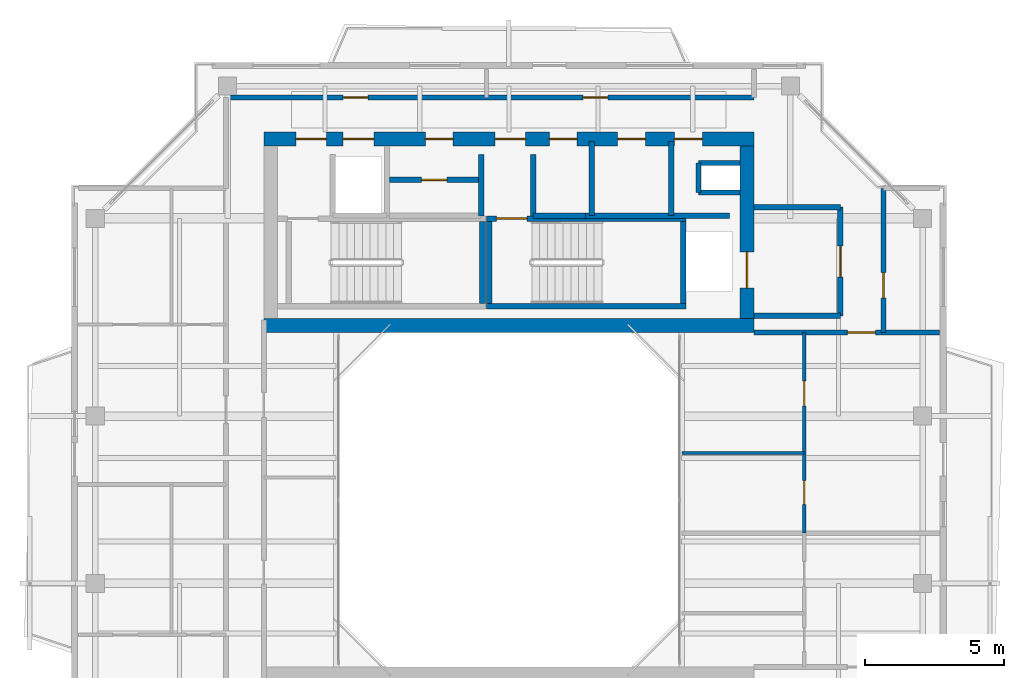
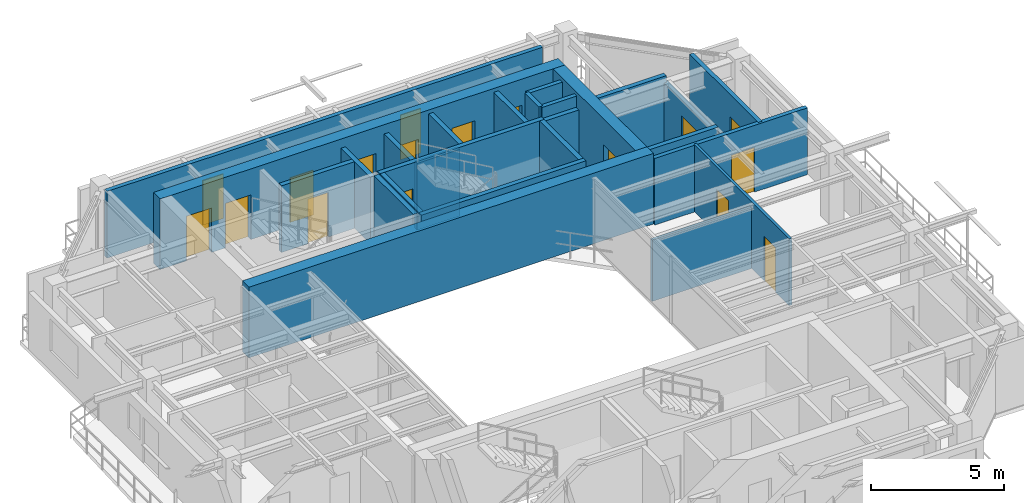
# One storey, part 11 of 15: 26 walls, 17 doors, 17 openings.
"""IFC4 building model written with IfcOpenShell, lengths in metres."""

import ifcopenshell
import ifcopenshell.guid

model = None  # the IFC model being written
_history = None  # IfcOwnerHistory: only IFC2X3 demands one
_inside = {}  # id of a spatial element -> (the spatial element, [elements in it])
_under = {}  # id of a project, library or spatial element -> (it, [spatial elements below it])
_declared = {}  # id of a project -> (the project, [libraries it declares])
_typed = {}  # id of a type object -> (the type object, [elements of that type])
_made_of = {}  # id of a material, layer set ... -> (it, [elements and type objects made of it])


def new_model(schema):
    """Start an empty IFC model of exactly this schema.

    Asked for "IFC4X3", IfcOpenShell would pick the latest addendum, in which some entities
    have other attributes; the version numbers below select the first issue.
    IFC2X3 requires an IfcOwnerHistory on every rooted entity: one is made here for all.
    """
    global model, _history
    if schema == "IFC4X3":
        model = ifcopenshell.file(schema_version=(4, 3, 0, 0))
    else:
        model = ifcopenshell.file(schema=schema)
    _inside.clear()
    _under.clear()
    _declared.clear()
    _typed.clear()
    _made_of.clear()
    _history = None
    if model.schema == "IFC2X3":
        org = make("IfcOrganization", Name="unknown")
        user = make(
            "IfcPersonAndOrganization",
            ThePerson=make("IfcPerson", FamilyName="unknown"),
            TheOrganization=org,
        )
        app = make(
            "IfcApplication",
            ApplicationDeveloper=org,
            Version="unknown",
            ApplicationFullName="unknown",
            ApplicationIdentifier="unknown",
        )
        _history = make(
            "IfcOwnerHistory",
            OwningUser=user,
            OwningApplication=app,
            ChangeAction="ADDED",
            CreationDate=0,
        )
    return model


def make(cls, **values):
    """One entity of the class cls with the attributes given. An attribute that is None is left unset."""
    return model.create_entity(
        cls, **{name: value for name, value in values.items() if value is not None}
    )


def rooted(cls, **values):
    """An entity with a GlobalId (a new one), such as an element, a storey or a relation."""
    return make(cls, GlobalId=ifcopenshell.guid.new(), OwnerHistory=_history, **values)


def si_unit(unit_type, name, prefix=None):
    """IfcSIUnit, for example si_unit("LENGTHUNIT", "METRE", prefix="MILLI")."""
    return make("IfcSIUnit", UnitType=unit_type, Prefix=prefix, Name=name)


def assignment(units):
    """IfcUnitAssignment: the units of a project."""
    return None if units is None else make("IfcUnitAssignment", Units=units)


def point(xyz):
    """IfcCartesianPoint."""
    return None if xyz is None else make("IfcCartesianPoint", Coordinates=xyz)


def direction(xyz):
    """IfcDirection."""
    return None if xyz is None else make("IfcDirection", DirectionRatios=xyz)


def frame(location, z_axis=None, x_axis=None):
    """IfcAxis2Placement3D, a coordinate frame: its origin and axes. An axis left out is left unset."""
    return make(
        "IfcAxis2Placement3D",
        Location=point(location),
        Axis=direction(z_axis),
        RefDirection=direction(x_axis),
    )


def frame_2d(location, x_axis=None):
    """IfcAxis2Placement2D, a coordinate frame in the plane: its origin and x axis."""
    return make(
        "IfcAxis2Placement2D", Location=point(location), RefDirection=direction(x_axis)
    )


def origin():
    """The frame at (0, 0, 0) with its axes left unset."""
    return frame((0.0, 0.0, 0.0))


def place(relative_to, where):
    """IfcLocalPlacement: puts the frame where relative to a parent placement (None: the world)."""
    return make(
        "IfcLocalPlacement", PlacementRelTo=relative_to, RelativePlacement=where
    )


def context(
    kind, dimensions, precision=None, world=None, true_north=None, identifier=None
):
    """IfcGeometricRepresentationContext, for example the 3D "Model" context."""
    return make(
        "IfcGeometricRepresentationContext",
        ContextIdentifier=identifier,
        ContextType=kind,
        CoordinateSpaceDimension=dimensions,
        Precision=precision,
        WorldCoordinateSystem=world,
        TrueNorth=true_north,
    )


def subcontext(parent, identifier, kind, view, scale=None):
    """IfcGeometricRepresentationSubContext, for example "Body" below "Model"."""
    return make(
        "IfcGeometricRepresentationSubContext",
        ContextIdentifier=identifier,
        ContextType=kind,
        ParentContext=parent,
        TargetScale=scale,
        TargetView=view,
    )


def project(units=None, contexts=None):
    """IfcProject with its units and contexts."""
    return rooted(
        "IfcProject",
        Name="project",
        RepresentationContexts=contexts,
        UnitsInContext=assignment(units),
    )


def spatial(cls, under=None, at=None, **own):
    """A site, building, storey or space (cls), placed at a placement, below another one or the project."""
    s = rooted(cls, ObjectPlacement=at, **own)
    if under is not None:
        _under.setdefault(under.id(), (under, []))[1].append(s)
    return s


def profile(cls, at=None, kind="AREA", **sizes):
    """A parametric profile (cls). Its sizes go by their IFC names, for example OverallWidth=200.0."""
    return make(cls, ProfileType=kind, Position=at, **sizes)


def rectangle(**sizes):
    """IfcRectangleProfileDef."""
    return profile("IfcRectangleProfileDef", **sizes)


def extrude(swept, where, along, depth):
    """IfcExtrudedAreaSolid: the profile swept, set in the frame where, extruded along a direction by depth."""
    return make(
        "IfcExtrudedAreaSolid",
        SweptArea=swept,
        Position=where,
        ExtrudedDirection=direction(along),
        Depth=depth,
    )


def shape(context_of_items, identifier, shape_type, items):
    """IfcShapeRepresentation: the items that make up one representation, for example the "Body"."""
    return make(
        "IfcShapeRepresentation",
        ContextOfItems=context_of_items,
        RepresentationIdentifier=identifier,
        RepresentationType=shape_type,
        Items=items,
    )


def source(mapping_origin, context_of_items, identifier, shape_type, items):
    """IfcRepresentationMap: a shape defined once, which mapped items show again and again."""
    return make(
        "IfcRepresentationMap",
        MappingOrigin=mapping_origin,
        MappedRepresentation=shape(context_of_items, identifier, shape_type, items),
    )


def transform(
    local_origin,
    x_axis=None,
    y_axis=None,
    z_axis=None,
    scale=None,
    scale2=None,
    scale3=None,
    uniform=True,
):
    """IfcCartesianTransformationOperator3D, or its non-uniform kind. x_axis, y_axis, z_axis: its Axis1, 2, 3."""
    if uniform:
        return make(
            "IfcCartesianTransformationOperator3D",
            Axis1=direction(x_axis),
            Axis2=direction(y_axis),
            LocalOrigin=point(local_origin),
            Scale=scale,
            Axis3=direction(z_axis),
        )
    return make(
        "IfcCartesianTransformationOperator3DnonUniform",
        Axis1=direction(x_axis),
        Axis2=direction(y_axis),
        LocalOrigin=point(local_origin),
        Scale=scale,
        Axis3=direction(z_axis),
        Scale2=scale2,
        Scale3=scale3,
    )


def mapped(mapping_source, mapping_target):
    """IfcMappedItem: shows the shape of a source again, moved by a transform."""
    return make(
        "IfcMappedItem", MappingSource=mapping_source, MappingTarget=mapping_target
    )


def material(Name=None, Category=None):
    """IfcMaterial."""
    return make("IfcMaterial", Name=Name, Category=Category)


def layer(
    of_material, thickness, ventilated=None, Name=None, Category=None, Priority=None
):
    """IfcMaterialLayer: one layer of a wall or slab, of a material (None: an air gap)."""
    return make(
        "IfcMaterialLayer",
        Material=of_material,
        LayerThickness=thickness,
        IsVentilated=ventilated,
        Name=Name,
        Category=Category,
        Priority=Priority,
    )


def layer_set(layers, Name=None):
    """IfcMaterialLayerSet."""
    return make("IfcMaterialLayerSet", MaterialLayers=layers, LayerSetName=Name)


def made_of(thing, what):
    """Note that an element or type object is made of a material, layer set ...; save() writes the relation."""
    if what is not None:
        _made_of.setdefault(what.id(), (what, []))[1].append(thing)
    return thing


def type_object(cls, material=None, **own):
    """A type object (cls), such as IfcWallType, which elements share."""
    return made_of(rooted(cls, **own), material)


def element(
    cls,
    number,
    at=None,
    inside=None,
    cuts=None,
    type_object=None,
    material=None,
    context=None,
    identifier="Body",
    shape_type=None,
    held_by="IfcProductDefinitionShape",
    body=None,
    shapes=None,
    **own,
):
    """One element of the class cls, such as IfcWall. Its Tag is "e" and its number.

    at: its placement. inside: the storey or other place that contains it. cuts: it is an
    opening in that element (IfcRelVoidsElement). A single representation is given by context,
    identifier, shape_type and body (its items); several are given by shapes. held_by: the class
    of the entity that holds the representations. save() writes the other relations.
    """
    e = rooted(cls, Tag="e%d" % number, ObjectPlacement=at, **own)
    if body is not None:
        shapes = [shape(context, identifier, shape_type, body)]
    if shapes is not None:
        e.Representation = make(held_by, Representations=shapes)
    if inside is not None:
        _inside.setdefault(inside.id(), (inside, []))[1].append(e)
    if cuts is not None:
        rooted(
            "IfcRelVoidsElement", RelatingBuildingElement=cuts, RelatedOpeningElement=e
        )
    if type_object is not None:
        _typed.setdefault(type_object.id(), (type_object, []))[1].append(e)
    return made_of(e, material)


def fill(opening, filler):
    """IfcRelFillsElement: the door or window that sits in an opening."""
    return rooted(
        "IfcRelFillsElement",
        RelatingOpeningElement=opening,
        RelatedBuildingElement=filler,
    )


def aggregate(whole, parts):
    """IfcRelAggregates: a whole, such as a stair, and the parts it consists of."""
    return rooted("IfcRelAggregates", RelatingObject=whole, RelatedObjects=parts)


def save(model, path):
    """Write the relations noted so far, then the file.

    IfcRelAggregates (storeys below a building ...), IfcRelContainedInSpatialStructure (elements
    in a storey), IfcRelDefinesByType, IfcRelAssociatesMaterial and IfcRelDeclares: one each for
    every whole, place, type object, material and project.
    """
    for whole, parts in _under.values():
        aggregate(whole, parts)
    for where, things in _inside.values():
        rooted(
            "IfcRelContainedInSpatialStructure",
            RelatedElements=things,
            RelatingStructure=where,
        )
    for kind, things in _typed.values():
        rooted("IfcRelDefinesByType", RelatedObjects=things, RelatingType=kind)
    for what, things in _made_of.values():
        rooted("IfcRelAssociatesMaterial", RelatedObjects=things, RelatingMaterial=what)
    for by, libraries in _declared.values():
        rooted("IfcRelDeclares", RelatingContext=by, RelatedDefinitions=libraries)
    model.write(path)


model = new_model("IFC4")

# Units and contexts
model_context = context("Model", 3, precision=1e-05, world=origin(), true_north=direction((0.0, 1.0)))
body_context = subcontext(model_context, "Body", "Model", "MODEL_VIEW")
ifc_project = project(units=[si_unit("LENGTHUNIT", "METRE"), si_unit("AREAUNIT", "SQUARE_METRE"), si_unit("VOLUMEUNIT", "CUBIC_METRE"), si_unit("PLANEANGLEUNIT", "RADIAN"), si_unit("MASSUNIT", "GRAM", prefix="KILO"), si_unit("THERMODYNAMICTEMPERATUREUNIT", "KELVIN"), si_unit("POWERUNIT", "WATT")], contexts=[model_context])

# Site, building, storey
site_placement = place(None, origin())
site = spatial("IfcSite", under=ifc_project, at=site_placement, CompositionType="ELEMENT")
building_placement = place(site_placement, origin())
building = spatial("IfcBuilding", under=site, at=building_placement, Name="Qiaomeng Ring Towers", CompositionType="ELEMENT")
storey_placement = place(building_placement, frame((0.0, 0.0, 250.25)))
storey = spatial("IfcBuildingStorey", under=building, at=storey_placement, Name="L73", CompositionType="ELEMENT", Elevation=250.25)

# Walls
ifc_material_1 = material(Name="Autoclaved aerated concrete block", Category="concrete")
ifc_layer_1 = layer(ifc_material_1, 0.199951171875, Name="Autoclaved aerated concrete block")
ifc_layer_set_1 = layer_set([ifc_layer_1], Name="Autoclaved aerated concrete block")
wall_type_1 = type_object("IfcWallType", Name="ARC-WL-PW1", PredefinedType="PARTITIONING", material=ifc_layer_set_1)
for number, where, z_axis, x_axis, name in (
    (1, (27.800048828125, 29.60009765625, 0.0), (0.0, 0.0, 1.0), (1.0, 0.0, 0.0), "L73 Interior Wall PW1"),
    (2, (27.800048828125, 33.5, 0.0), (0.0, 0.0, 1.0), (1.0, 0.0, 0.0), "L73 Interior Wall PW1"),
):
    element("IfcWall", number, at=place(storey_placement, frame(where, z_axis=z_axis, x_axis=x_axis)), inside=storey, type_object=wall_type_1, Name=name, PredefinedType="PARTITIONING", context=body_context, shape_type="SweptSolid", body=[
        extrude(rectangle(XDim=3.099853515625, YDim=0.199951171875, at=frame_2d((1.5498046875, 0.0))), origin(), (0.0, 0.0, 1.0), 3.070068359375),
    ])

# Wall, opening, door
wall_1_placement = place(storey_placement, frame((30.89990234375, 29.60009765625, 0.0), z_axis=(0.0, 0.0, 1.0), x_axis=(0.0, 1.0, 0.0)))
wall_1 = element("IfcWall", 3, at=wall_1_placement, inside=storey, type_object=wall_type_1, Name="L73 Interior Wall PW1", PredefinedType="PARTITIONING", context=body_context, shape_type="SweptSolid", body=[
    extrude(rectangle(XDim=3.89990234375, YDim=0.199951171875, at=frame_2d((1.949951171875, 0.0))), origin(), (0.0, 0.0, 1.0), 2.764892578125),
])
opening_1_placement = place(wall_1_placement, frame((1.39990234375, 0.0, 0.0)))
opening_1 = element("IfcOpeningElement", 4, at=opening_1_placement, cuts=wall_1, Name="Opening FD3", PredefinedType="OPENING", context=body_context, shape_type="SweptSolid", body=[
    extrude(rectangle(XDim=1.10009765625, YDim=2.050048828125, at=frame_2d((0.550048828125, 1.02490234375))), frame((0.0, 0.10986328125, 0.0), z_axis=(0.0, -1.0, 0.0), x_axis=(1.0, 0.0, 0.0)), (0.0, 0.0, 1.0), 0.219970703125),
])
ifc_material_2 = material(Name="Galvanised steel", Category="steel")
door_type_1 = type_object("IfcDoorType", Name="ARC-DR-FD3", OperationType="NOTDEFINED", PredefinedType="DOOR", material=ifc_material_2)
shared_shape_1 = source(origin(), body_context, "Body", "SweptSolid", [
    extrude(rectangle(XDim=1.10009765625, YDim=2.050048828125, at=frame_2d((0.550048828125, 1.02490234375))), frame((0.0, 0.02490234375, 0.0), z_axis=(0.0, -1.0, 0.0), x_axis=(1.0, 0.0, 0.0)), (0.0, 0.0, 1.0), 0.050048828125),
])
door_1_placement = place(opening_1_placement, origin())
door_1 = element("IfcDoor", 5, at=door_1_placement, inside=storey, type_object=door_type_1, Name="L73 North FF Lobby Door", OperationType="SINGLE_SWING_RIGHT", OverallHeight=2.050048828125, OverallWidth=1.10009765625, PredefinedType="DOOR", context=body_context, shape_type="MappedRepresentation", body=[
    mapped(shared_shape_1, transform((0.0, 0.0, 0.0), x_axis=(1.0, 0.0, 0.0), y_axis=(0.0, 1.0, 0.0), z_axis=(0.0, 0.0, 1.0), scale=1.0)),
])
fill(opening_1, door_1)

# Walls
for number, where, z_axis, x_axis, name in (
    (6, (18.0, 33.18994140625, 0.0), (0.0, 0.0, 1.0), (0.0, 1.0, 0.0), "L73 Interior Wall PW1"),
    (7, (19.8798828125, 33.18994140625, 0.0), (0.0, 0.0, 1.0), (0.0, 1.0, 0.0), "L73 Interior Wall PW1"),
):
    element("IfcWall", number, at=place(storey_placement, frame(where, z_axis=z_axis, x_axis=x_axis)), inside=storey, type_object=wall_type_1, Name=name, PredefinedType="PARTITIONING", context=body_context, shape_type="SweptSolid", body=[
        extrude(rectangle(XDim=2.2099609375, YDim=0.199951171875, at=frame_2d((1.10498046875, 0.0))), origin(), (0.0, 0.0, 1.0), 3.070068359375),
    ])

# Wall, opening, door
wall_2_placement = place(storey_placement, frame((14.719970703125, 34.47998046875, 0.0), z_axis=(0.0, 0.0, 1.0), x_axis=(1.0, 0.0, 0.0)))
wall_2 = element("IfcWall", 8, at=wall_2_placement, inside=storey, type_object=wall_type_1, Name="L73 Interior Wall PW1", PredefinedType="PARTITIONING", context=body_context, shape_type="SweptSolid", body=[
    extrude(rectangle(XDim=3.280029296875, YDim=0.199951171875, at=frame_2d((1.64013671875, 0.0))), origin(), (0.0, 0.0, 1.0), 3.070068359375),
])
opening_2_placement = place(wall_2_placement, frame((1.14990234375, 0.0, 0.0)))
opening_2 = element("IfcOpeningElement", 9, at=opening_2_placement, cuts=wall_2, Name="Opening ID1", PredefinedType="OPENING", context=body_context, shape_type="SweptSolid", body=[
    extrude(rectangle(XDim=0.89990234375, YDim=2.050048828125, at=frame_2d((0.449951171875, 1.02490234375))), frame((0.0, 0.10986328125, 0.0), z_axis=(0.0, -1.0, 0.0), x_axis=(1.0, 0.0, 0.0)), (0.0, 0.0, 1.0), 0.219970703125),
])
ifc_material_3 = material(Name="Engineered oak timber", Category="wood")
door_type_2 = type_object("IfcDoorType", Name="ARC-DR-ID1", OperationType="NOTDEFINED", PredefinedType="DOOR", material=ifc_material_3)
shared_shape_2 = source(origin(), body_context, "Body", "SweptSolid", [
    extrude(rectangle(XDim=0.89990234375, YDim=2.050048828125, at=frame_2d((0.449951171875, 1.02490234375))), frame((0.0, 0.02490234375, 0.0), z_axis=(0.0, -1.0, 0.0), x_axis=(1.0, 0.0, 0.0)), (0.0, 0.0, 1.0), 0.050048828125),
])
door_2_placement = place(opening_2_placement, origin())
door_2 = element("IfcDoor", 10, at=door_2_placement, inside=storey, type_object=door_type_2, Name="L73 Door ID1", OperationType="SINGLE_SWING_RIGHT", OverallHeight=2.050048828125, OverallWidth=0.89990234375, PredefinedType="DOOR", context=body_context, shape_type="MappedRepresentation", body=[
    mapped(shared_shape_2, transform((0.0, 0.0, 0.0), x_axis=(1.0, 0.0, 0.0), y_axis=(0.0, 1.0, 0.0), z_axis=(0.0, 0.0, 1.0), scale=1.0)),
])
fill(opening_2, door_2)

# Walls
wall_3_placement = place(storey_placement, frame((24.820068359375, 33.199951171875, 0.0), z_axis=(0.0, 0.0, 1.0), x_axis=(0.0, 1.0, 0.0)))
element("IfcWall", 11, at=wall_3_placement, inside=storey, type_object=wall_type_1, Name="L73 Interior Wall PW1", PredefinedType="PARTITIONING", context=body_context, shape_type="SweptSolid", body=[
    extrude(rectangle(XDim=2.650146484375, YDim=0.199951171875, at=frame_2d((1.3251953125, 0.0))), origin(), (0.0, 0.0, 1.0), 3.070068359375),
])
wall_4_placement = place(storey_placement, frame((19.8798828125, 33.199951171875, 0.0), z_axis=(0.0, 0.0, 1.0), x_axis=(1.0, 0.0, 0.0)))
element("IfcWall", 12, at=wall_4_placement, inside=storey, type_object=wall_type_1, Name="L73 Interior Wall PW1", PredefinedType="PARTITIONING", context=body_context, shape_type="SweptSolid", body=[
    extrude(rectangle(XDim=1.8701171875, YDim=0.199951171875, at=frame_2d((0.93505859375, 0.0))), origin(), (0.0, 0.0, 1.0), 3.070068359375),
])
wall_5_placement = place(storey_placement, frame((21.97998046875, 33.199951171875, 0.0), z_axis=(0.0, 0.0, 1.0), x_axis=(0.0, 1.0, 0.0)))
element("IfcWall", 13, at=wall_5_placement, inside=storey, type_object=wall_type_1, Name="L73 Interior Wall PW1", PredefinedType="PARTITIONING", context=body_context, shape_type="SweptSolid", body=[
    extrude(rectangle(XDim=2.650146484375, YDim=0.199951171875, at=frame_2d((1.3251953125, 0.0))), origin(), (0.0, 0.0, 1.0), 3.070068359375),
])
wall_6_placement = place(storey_placement, frame((21.75, 33.199951171875, 0.0), z_axis=(0.0, 0.0, 1.0), x_axis=(1.0, 0.0, 0.0)))
element("IfcWall", 14, at=wall_6_placement, inside=storey, type_object=wall_type_1, Name="L73 Interior Wall PW1", PredefinedType="PARTITIONING", context=body_context, shape_type="SweptSolid", body=[
    extrude(rectangle(XDim=5.169921875, YDim=0.199951171875, at=frame_2d((2.5849609375, 0.0))), origin(), (0.0, 0.0, 1.0), 3.070068359375),
])

# Wall, openings, doors
ifc_layer_2 = layer(ifc_material_1, 0.179931640625, Name="Autoclaved aerated concrete block")
ifc_layer_set_2 = layer_set([ifc_layer_2], Name="Autoclaved aerated concrete block")
wall_type_2 = type_object("IfcWallType", Name="ARC-WL-PW2", PredefinedType="PARTITIONING", material=ifc_layer_set_2)
wall_7_placement = place(storey_placement, frame((8.85009765625, 37.43994140625, 0.0), z_axis=(0.0, 0.0, 1.0), x_axis=(1.0, 0.0, 0.0)))
wall_7 = element("IfcWall", 15, at=wall_7_placement, inside=storey, type_object=wall_type_2, Name="L73 Interior Wall PW2", PredefinedType="PARTITIONING", context=body_context, shape_type="SweptSolid", body=[
    extrude(rectangle(XDim=18.949951171875, YDim=0.179931640625, at=frame_2d((9.47509765625, 0.0))), origin(), (0.0, 0.0, 1.0), 3.070068359375),
])
opening_3_placement = place(wall_7_placement, frame((4.199951171875, 0.0, 0.0)))
opening_3 = element("IfcOpeningElement", 16, at=opening_3_placement, cuts=wall_7, Name="Opening ID1", PredefinedType="OPENING", context=body_context, shape_type="SweptSolid", body=[
    extrude(rectangle(XDim=0.89990234375, YDim=2.050048828125, at=frame_2d((0.449951171875, 1.02490234375))), frame((0.0, 0.099853515625, 0.0), z_axis=(0.0, -1.0, 0.0), x_axis=(1.0, 0.0, 0.0)), (0.0, 0.0, 1.0), 0.199951171875),
])
opening_4_placement = place(wall_7_placement, frame((12.800048828125, 0.0, 0.0)))
opening_4 = element("IfcOpeningElement", 17, at=opening_4_placement, cuts=wall_7, Name="Opening ID1", PredefinedType="OPENING", context=body_context, shape_type="SweptSolid", body=[
    extrude(rectangle(XDim=0.89990234375, YDim=2.050048828125, at=frame_2d((0.449951171875, 1.02490234375))), frame((0.0, 0.099853515625, 0.0), z_axis=(0.0, -1.0, 0.0), x_axis=(1.0, 0.0, 0.0)), (0.0, 0.0, 1.0), 0.199951171875),
])
door_3_placement = place(opening_3_placement, origin())
door_3 = element("IfcDoor", 18, at=door_3_placement, inside=storey, type_object=door_type_2, Name="L73 Door ID1", OperationType="SINGLE_SWING_LEFT", OverallHeight=2.050048828125, OverallWidth=0.89990234375, PredefinedType="DOOR", context=body_context, shape_type="MappedRepresentation", body=[
    mapped(shared_shape_2, transform((0.0, 0.0, 0.0), x_axis=(1.0, 0.0, 0.0), y_axis=(0.0, 1.0, 0.0), z_axis=(0.0, 0.0, 1.0), scale=1.0)),
])
fill(opening_3, door_3)
door_4_placement = place(opening_4_placement, origin())
door_4 = element("IfcDoor", 19, at=door_4_placement, inside=storey, type_object=door_type_2, Name="L73 Door ID1", OperationType="SINGLE_SWING_RIGHT", OverallHeight=2.050048828125, OverallWidth=0.89990234375, PredefinedType="DOOR", context=body_context, shape_type="MappedRepresentation", body=[
    mapped(shared_shape_2, transform((0.0, 0.0, 0.0), x_axis=(1.0, 0.0, 0.0), y_axis=(0.0, 1.0, 0.0), z_axis=(0.0, 0.0, 1.0), scale=1.0)),
])
fill(opening_4, door_4)

# Wall, opening, door
wall_8_placement = place(storey_placement, frame((27.800048828125, 29.0, 0.0), z_axis=(0.0, 0.0, 1.0), x_axis=(1.0, 0.0, 0.0)))
wall_8 = element("IfcWall", 20, at=wall_8_placement, inside=storey, type_object=wall_type_2, Name="L73 Interior Wall PW2", PredefinedType="PARTITIONING", context=body_context, shape_type="SweptSolid", body=[
    extrude(rectangle(XDim=6.64990234375, YDim=0.179931640625, at=frame_2d((3.324951171875, 0.0))), origin(), (0.0, 0.0, 1.0), 3.070068359375),
])
opening_5_placement = place(wall_8_placement, frame((3.35009765625, 0.0, 0.0)))
opening_5 = element("IfcOpeningElement", 21, at=opening_5_placement, cuts=wall_8, Name="Opening FD4", PredefinedType="OPENING", context=body_context, shape_type="SweptSolid", body=[
    extrude(rectangle(XDim=1.0, YDim=2.050048828125, at=frame_2d((0.5, 1.02490234375))), frame((0.0, 0.099853515625, 0.0), z_axis=(0.0, -1.0, 0.0), x_axis=(1.0, 0.0, 0.0)), (0.0, 0.0, 1.0), 0.199951171875),
])
ifc_material_4 = material(Name="Engineered fire-rated oak timber", Category="wood")
door_type_3 = type_object("IfcDoorType", Name="ARC-DR-FD4", OperationType="NOTDEFINED", PredefinedType="DOOR", material=ifc_material_4)
shared_shape_3 = source(origin(), body_context, "Body", "SweptSolid", [
    extrude(rectangle(XDim=1.0, YDim=2.050048828125, at=frame_2d((0.5, 1.02490234375))), frame((0.0, 0.02490234375, 0.0), z_axis=(0.0, -1.0, 0.0), x_axis=(1.0, 0.0, 0.0)), (0.0, 0.0, 1.0), 0.050048828125),
])
door_5_placement = place(opening_5_placement, origin())
door_5 = element("IfcDoor", 22, at=door_5_placement, inside=storey, type_object=door_type_3, Name="L73 Door FD4", OperationType="SINGLE_SWING_RIGHT", OverallHeight=2.050048828125, OverallWidth=1.0, PredefinedType="DOOR", context=body_context, shape_type="MappedRepresentation", body=[
    mapped(shared_shape_3, transform((0.0, 0.0, 0.0), x_axis=(1.0, 0.0, 0.0), y_axis=(0.0, 1.0, 0.0), z_axis=(0.0, 0.0, 1.0), scale=1.0)),
])
fill(opening_5, door_5)

wall_9_placement = place(storey_placement, frame((32.449951171875, 29.0, 0.0), z_axis=(0.0, 0.0, 1.0), x_axis=(0.0, 1.0, 0.0)))
wall_9 = element("IfcWall", 23, at=wall_9_placement, inside=storey, type_object=wall_type_2, Name="L73 Interior Wall PW2", PredefinedType="PARTITIONING", context=body_context, shape_type="SweptSolid", body=[
    extrude(rectangle(XDim=5.179931640625, YDim=0.179931640625, at=frame_2d((2.58984375, 0.0))), origin(), (0.0, 0.0, 1.0), 3.070068359375),
])
opening_6_placement = place(wall_9_placement, frame((1.25, 0.0, 0.0)))
opening_6 = element("IfcOpeningElement", 24, at=opening_6_placement, cuts=wall_9, Name="Opening ID1", PredefinedType="OPENING", context=body_context, shape_type="SweptSolid", body=[
    extrude(rectangle(XDim=0.89990234375, YDim=2.050048828125, at=frame_2d((0.449951171875, 1.02490234375))), frame((0.0, 0.099853515625, 0.0), z_axis=(0.0, -1.0, 0.0), x_axis=(1.0, 0.0, 0.0)), (0.0, 0.0, 1.0), 0.199951171875),
])
door_6_placement = place(opening_6_placement, origin())
door_6 = element("IfcDoor", 25, at=door_6_placement, inside=storey, type_object=door_type_2, Name="L73 Door ID1", OperationType="SINGLE_SWING_LEFT", OverallHeight=2.050048828125, OverallWidth=0.89990234375, PredefinedType="DOOR", context=body_context, shape_type="MappedRepresentation", body=[
    mapped(shared_shape_2, transform((0.0, 0.0, 0.0), x_axis=(1.0, 0.0, 0.0), y_axis=(0.0, 1.0, 0.0), z_axis=(0.0, 0.0, 1.0), scale=1.0)),
])
fill(opening_6, door_6)

# Wall, openings, doors
ifc_material_5 = material(Name="Moisture-resistant gypsum steel-stud partition", Category="steel")
ifc_layer_3 = layer(ifc_material_5, 0.1201171875, Name="Moisture-resistant gypsum steel-stud partition")
ifc_layer_set_3 = layer_set([ifc_layer_3], Name="Moisture-resistant gypsum steel-stud partition")
wall_type_3 = type_object("IfcWallType", Name="ARC-WL-PW4", PredefinedType="PLUMBINGWALL", material=ifc_layer_set_3)
wall_10_placement = place(storey_placement, frame((29.60009765625, 21.800048828125, 0.0), z_axis=(0.0, 0.0, 1.0), x_axis=(0.0, 1.0, 0.0)))
wall_10 = element("IfcWall", 26, at=wall_10_placement, inside=storey, type_object=wall_type_3, Name="L73 Interior Wall PW4", PredefinedType="PLUMBINGWALL", context=body_context, shape_type="SweptSolid", body=[
    extrude(rectangle(XDim=7.199951171875, YDim=0.1201171875, at=frame_2d((3.60009765625, 0.0))), origin(), (0.0, 0.0, 1.0), 3.070068359375),
])
opening_7_placement = place(wall_10_placement, frame((1.034912109375, 0.0, 0.0)))
opening_7 = element("IfcOpeningElement", 27, at=opening_7_placement, cuts=wall_10, Name="Opening ID2", PredefinedType="OPENING", context=body_context, shape_type="SweptSolid", body=[
    extrude(rectangle(XDim=0.85009765625, YDim=2.050048828125, at=frame_2d((0.425048828125, 1.02490234375))), frame((0.0, 0.070068359375, 0.0), z_axis=(0.0, -1.0, 0.0), x_axis=(1.0, 0.0, 0.0)), (0.0, 0.0, 1.0), 0.14013671875),
])
opening_8_placement = place(wall_10_placement, frame((4.570068359375, 0.0, 0.0)))
opening_8 = element("IfcOpeningElement", 28, at=opening_8_placement, cuts=wall_10, Name="Opening ID1", PredefinedType="OPENING", context=body_context, shape_type="SweptSolid", body=[
    extrude(rectangle(XDim=0.89990234375, YDim=2.050048828125, at=frame_2d((0.449951171875, 1.02490234375))), frame((0.0, 0.070068359375, 0.0), z_axis=(0.0, -1.0, 0.0), x_axis=(1.0, 0.0, 0.0)), (0.0, 0.0, 1.0), 0.14013671875),
])
ifc_material_6 = material(Name="Moisture-resistant engineered timber", Category="wood")
door_type_4 = type_object("IfcDoorType", Name="ARC-DR-ID2", OperationType="NOTDEFINED", PredefinedType="DOOR", material=ifc_material_6)
shared_shape_4 = source(origin(), body_context, "Body", "SweptSolid", [
    extrude(rectangle(XDim=0.85009765625, YDim=2.050048828125, at=frame_2d((0.425048828125, 1.02490234375))), frame((0.0, 0.02490234375, 0.0), z_axis=(0.0, -1.0, 0.0), x_axis=(1.0, 0.0, 0.0)), (0.0, 0.0, 1.0), 0.050048828125),
])
door_7_placement = place(opening_7_placement, origin())
door_7 = element("IfcDoor", 29, at=door_7_placement, inside=storey, type_object=door_type_4, Name="L73 Door ID2", OperationType="SINGLE_SWING_LEFT", OverallHeight=2.050048828125, OverallWidth=0.85009765625, PredefinedType="DOOR", context=body_context, shape_type="MappedRepresentation", body=[
    mapped(shared_shape_4, transform((0.0, 0.0, 0.0), x_axis=(1.0, 0.0, 0.0), y_axis=(0.0, 1.0, 0.0), z_axis=(0.0, 0.0, 1.0), scale=1.0)),
])
fill(opening_7, door_7)
door_8_placement = place(opening_8_placement, origin())
door_8 = element("IfcDoor", 30, at=door_8_placement, inside=storey, type_object=door_type_2, Name="L73 Door ID1", OperationType="SINGLE_SWING_RIGHT", OverallHeight=2.050048828125, OverallWidth=0.89990234375, PredefinedType="DOOR", context=body_context, shape_type="MappedRepresentation", body=[
    mapped(shared_shape_2, transform((0.0, 0.0, 0.0), x_axis=(1.0, 0.0, 0.0), y_axis=(0.0, 1.0, 0.0), z_axis=(0.0, 0.0, 1.0), scale=1.0)),
])
fill(opening_8, door_8)

# Walls
wall_11_placement = place(storey_placement, frame((25.219970703125, 24.679931640625, 0.0), z_axis=(0.0, 0.0, 1.0), x_axis=(1.0, 0.0, 0.0)))
element("IfcWall", 31, at=wall_11_placement, inside=storey, type_object=wall_type_3, Name="L73 Interior Wall PW4", PredefinedType="PLUMBINGWALL", context=body_context, shape_type="SweptSolid", body=[
    extrude(rectangle(XDim=4.380126953125, YDim=0.1201171875, at=frame_2d((2.18994140625, 0.0))), origin(), (0.0, 0.0, 1.0), 2.821044921875),
])
ifc_material_7 = material(Name="Concrete C40", Category="concrete")
ifc_layer_4 = layer(ifc_material_7, 0.199951171875, Name="Concrete C40")
ifc_layer_set_4 = layer_set([ifc_layer_4], Name="Concrete C40")
wall_type_4 = type_object("IfcWallType", Name="STR-WL-STSHAFT", PredefinedType="SHEAR", material=ifc_layer_set_4)
wall_12_placement = place(storey_placement, frame((25.800048828125, 34.02001953125, 0.0), z_axis=(0.0, 0.0, 1.0), x_axis=(0.0, 1.0, 0.0)))
element("IfcWall", 32, at=wall_12_placement, inside=storey, type_object=wall_type_4, Name="L73 Riser RSR1 West Shaft Wall N", PredefinedType="SHEAR", context=body_context, shape_type="SweptSolid", body=[
    extrude(rectangle(XDim=1.06005859375, YDim=0.179931640625, at=frame_2d((0.530029296875, 0.0))), origin(), (0.0, 0.0, 1.0), 3.070068359375),
])
for number, where, z_axis, x_axis, name in (
    (33, (25.800048828125, 35.080078125, 0.0), (0.0, 0.0, 1.0), (1.0, 0.0, 0.0), "L73 Riser RSR1 North Shaft Wall N"),
    (34, (25.800048828125, 34.02001953125, 0.0), (0.0, 0.0, 1.0), (1.0, 0.0, 0.0), "L73 Riser RSR1 South Shaft Wall N"),
):
    element("IfcWall", number, at=place(storey_placement, frame(where, z_axis=z_axis, x_axis=x_axis)), inside=storey, type_object=wall_type_4, Name=name, PredefinedType="SHEAR", context=body_context, shape_type="SweptSolid", body=[
        extrude(rectangle(XDim=1.5, YDim=0.179931640625, at=frame_2d((0.75, 0.0))), origin(), (0.0, 0.0, 1.0), 3.070068359375),
    ])
wall_13_placement = place(storey_placement, frame((18.050048828125, 30.050048828125, 0.0), z_axis=(0.0, 0.0, 1.0), x_axis=(0.0, 1.0, 0.0)))
element("IfcWall", 35, at=wall_13_placement, inside=storey, type_object=wall_type_4, Name="L73 Stair ST1 East Shaft Shear Wall", PredefinedType="SHEAR", context=body_context, shape_type="SweptSolid", body=[
    extrude(rectangle(XDim=2.93994140625, YDim=0.199951171875, at=frame_2d((1.469970703125, 0.0))), origin(), (0.0, 0.0, 1.0), 3.25),
])
wall_14_placement = place(storey_placement, frame((18.199951171875, 29.949951171875, 0.0), z_axis=(0.0, 0.0, 1.0), x_axis=(1.0, 0.0, 0.0)))
element("IfcWall", 36, at=wall_14_placement, inside=storey, type_object=wall_type_4, Name="L73 Stair ST2 South Shaft Shear Wall", PredefinedType="SHEAR", context=body_context, shape_type="SweptSolid", body=[
    extrude(rectangle(XDim=7.150146484375, YDim=0.199951171875, at=frame_2d((3.5751953125, 0.0))), origin(), (0.0, 0.0, 1.0), 3.25),
])

# Wall, opening, door
wall_15_placement = place(storey_placement, frame((18.199951171875, 33.090087890625, 0.0), z_axis=(0.0, 0.0, 1.0), x_axis=(1.0, 0.0, 0.0)))
wall_15 = element("IfcWall", 37, at=wall_15_placement, inside=storey, type_object=wall_type_4, Name="L73 Stair ST2 North Shaft Shear Wall", PredefinedType="SHEAR", context=body_context, shape_type="SweptSolid", body=[
    extrude(rectangle(XDim=7.150146484375, YDim=0.199951171875, at=frame_2d((3.5751953125, 0.0))), origin(), (0.0, 0.0, 1.0), 3.25),
])
opening_9_placement = place(wall_15_placement, frame((0.35009765625, 0.0, 0.0)))
opening_9 = element("IfcOpeningElement", 38, at=opening_9_placement, cuts=wall_15, Name="Opening FD3", PredefinedType="OPENING", context=body_context, shape_type="SweptSolid", body=[
    extrude(rectangle(XDim=1.10009765625, YDim=2.050048828125, at=frame_2d((0.550048828125, 1.02490234375))), frame((0.0, 0.10986328125, 0.0), z_axis=(0.0, -1.0, 0.0), x_axis=(1.0, 0.0, 0.0)), (0.0, 0.0, 1.0), 0.219970703125),
])
door_9_placement = place(opening_9_placement, origin())
door_9 = element("IfcDoor", 39, at=door_9_placement, inside=storey, type_object=door_type_1, Name="L73 Stair ST2 Exit Door", OperationType="SINGLE_SWING_LEFT", OverallHeight=2.050048828125, OverallWidth=1.10009765625, PredefinedType="DOOR", context=body_context, shape_type="MappedRepresentation", body=[
    mapped(shared_shape_1, transform((0.0, 0.0, 0.0), x_axis=(1.0, 0.0, 0.0), y_axis=(0.0, 1.0, 0.0), z_axis=(0.0, 0.0, 1.0), scale=1.0)),
])
fill(opening_9, door_9)

# Walls
for number, where, z_axis, x_axis, name in (
    (40, (18.300048828125, 30.050048828125, 0.0), (0.0, 0.0, 1.0), (0.0, 1.0, 0.0), "L73 Stair ST2 West Shaft Shear Wall"),
    (41, (25.25, 30.050048828125, 0.0), (0.0, 0.0, 1.0), (0.0, 1.0, 0.0), "L73 Stair ST2 East Shaft Shear Wall"),
):
    element("IfcWall", number, at=place(storey_placement, frame(where, z_axis=z_axis, x_axis=x_axis)), inside=storey, type_object=wall_type_4, Name=name, PredefinedType="SHEAR", context=body_context, shape_type="SweptSolid", body=[
        extrude(rectangle(XDim=2.93994140625, YDim=0.199951171875, at=frame_2d((1.469970703125, 0.0))), origin(), (0.0, 0.0, 1.0), 3.25),
    ])
ifc_layer_5 = layer(ifc_material_7, 0.5, Name="Concrete C40")
ifc_layer_set_5 = layer_set([ifc_layer_5], Name="Concrete C40")
wall_type_5 = type_object("IfcWallType", Name="STR-WL-SW3", PredefinedType="SHEAR", material=ifc_layer_set_5)
wall_16_placement = place(storey_placement, frame((10.199951171875, 29.25, 0.0), z_axis=(0.0, 0.0, 1.0), x_axis=(1.0, 0.0, 0.0)))
element("IfcWall", 42, at=wall_16_placement, inside=storey, type_object=wall_type_5, Name="L73 T1NC south core shear wall", PredefinedType="SHEAR", context=body_context, shape_type="SweptSolid", body=[
    extrude(rectangle(XDim=17.60009765625, YDim=0.5, at=frame_2d((8.800048828125, 0.0))), origin(), (0.0, 0.0, 1.0), 3.25),
])

# Wall, openings, doors
wall_17_placement = place(storey_placement, frame((10.199951171875, 35.949951171875, 0.0), z_axis=(0.0, 0.0, 1.0), x_axis=(1.0, 0.0, 0.0)))
wall_17 = element("IfcWall", 43, at=wall_17_placement, inside=storey, type_object=wall_type_5, Name="L73 T1NC north core shear wall", PredefinedType="SHEAR", context=body_context, shape_type="SweptSolid", body=[
    extrude(rectangle(XDim=17.60009765625, YDim=0.5, at=frame_2d((8.800048828125, 0.0))), origin(), (0.0, 0.0, 1.0), 3.25),
])
opening_10_placement = place(wall_17_placement, frame((1.14990234375, 0.0, 0.0)))
opening_10 = element("IfcOpeningElement", 44, at=opening_10_placement, cuts=wall_17, Name="Opening FD3", PredefinedType="OPENING", context=body_context, shape_type="SweptSolid", body=[
    extrude(rectangle(XDim=1.10009765625, YDim=2.050048828125, at=frame_2d((0.550048828125, 1.02490234375))), frame((0.0, 0.260009765625, 0.0), z_axis=(0.0, -1.0, 0.0), x_axis=(1.0, 0.0, 0.0)), (0.0, 0.0, 1.0), 0.52001953125),
])
opening_11_placement = place(wall_17_placement, frame((8.300048828125, 0.0, 0.0)))
opening_11 = element("IfcOpeningElement", 45, at=opening_11_placement, cuts=wall_17, Name="Opening FD3", PredefinedType="OPENING", context=body_context, shape_type="SweptSolid", body=[
    extrude(rectangle(XDim=1.10009765625, YDim=2.050048828125, at=frame_2d((0.550048828125, 1.02490234375))), frame((0.0, 0.260009765625, 0.0), z_axis=(0.0, -1.0, 0.0), x_axis=(1.0, 0.0, 0.0)), (0.0, 0.0, 1.0), 0.52001953125),
])
opening_12_placement = place(wall_17_placement, frame((2.85009765625, 0.0, 0.0)))
opening_12 = element("IfcOpeningElement", 46, at=opening_12_placement, cuts=wall_17, Name="Opening LD1", PredefinedType="OPENING", context=body_context, shape_type="SweptSolid", body=[
    extrude(rectangle(XDim=1.10009765625, YDim=2.050048828125, at=frame_2d((0.550048828125, 1.02490234375))), frame((0.0, 0.260009765625, 0.0), z_axis=(0.0, -1.0, 0.0), x_axis=(1.0, 0.0, 0.0)), (0.0, 0.0, 1.0), 0.52001953125),
])
opening_13_placement = place(wall_17_placement, frame((5.800048828125, 0.0, 0.0)))
opening_13 = element("IfcOpeningElement", 47, at=opening_13_placement, cuts=wall_17, Name="Opening FD1", PredefinedType="OPENING", context=body_context, shape_type="SweptSolid", body=[
    extrude(rectangle(XDim=1.0, YDim=2.050048828125, at=frame_2d((0.5, 1.02490234375))), frame((0.0, 0.260009765625, 0.0), z_axis=(0.0, -1.0, 0.0), x_axis=(1.0, 0.0, 0.0)), (0.0, 0.0, 1.0), 0.52001953125),
])
opening_14_placement = place(wall_17_placement, frame((14.739990234375, 0.0, 0.0)))
opening_14 = element("IfcOpeningElement", 48, at=opening_14_placement, cuts=wall_17, Name="Opening FD1", PredefinedType="OPENING", context=body_context, shape_type="SweptSolid", body=[
    extrude(rectangle(XDim=1.0, YDim=2.050048828125, at=frame_2d((0.5, 1.02490234375))), frame((0.0, 0.260009765625, 0.0), z_axis=(0.0, -1.0, 0.0), x_axis=(1.0, 0.0, 0.0)), (0.0, 0.0, 1.0), 0.52001953125),
])
opening_15_placement = place(wall_17_placement, frame((10.25, 0.0, 0.0)))
opening_15 = element("IfcOpeningElement", 49, at=opening_15_placement, cuts=wall_17, Name="Opening FD1", PredefinedType="OPENING", context=body_context, shape_type="SweptSolid", body=[
    extrude(rectangle(XDim=1.0, YDim=2.050048828125, at=frame_2d((0.5, 1.02490234375))), frame((0.0, 0.260009765625, 0.0), z_axis=(0.0, -1.0, 0.0), x_axis=(1.0, 0.0, 0.0)), (0.0, 0.0, 1.0), 0.52001953125),
])
opening_16_placement = place(wall_17_placement, frame((12.699951171875, 0.0, 0.0)))
opening_16 = element("IfcOpeningElement", 50, at=opening_16_placement, cuts=wall_17, Name="Opening FD1", PredefinedType="OPENING", context=body_context, shape_type="SweptSolid", body=[
    extrude(rectangle(XDim=1.0, YDim=2.050048828125, at=frame_2d((0.5, 1.02490234375))), frame((0.0, 0.260009765625, 0.0), z_axis=(0.0, -1.0, 0.0), x_axis=(1.0, 0.0, 0.0)), (0.0, 0.0, 1.0), 0.52001953125),
])
door_10_placement = place(opening_10_placement, origin())
door_10 = element("IfcDoor", 51, at=door_10_placement, inside=storey, type_object=door_type_1, Name="L73 Stair ST1 Lobby Door", OperationType="SINGLE_SWING_RIGHT", OverallHeight=2.050048828125, OverallWidth=1.10009765625, PredefinedType="DOOR", context=body_context, shape_type="MappedRepresentation", body=[
    mapped(shared_shape_1, transform((0.0, 0.0, 0.0), x_axis=(1.0, 0.0, 0.0), y_axis=(0.0, 1.0, 0.0), z_axis=(0.0, 0.0, 1.0), scale=1.0)),
])
fill(opening_10, door_10)
door_11_placement = place(opening_11_placement, origin())
door_11 = element("IfcDoor", 52, at=door_11_placement, inside=storey, type_object=door_type_1, Name="L73 Stair ST2 Lobby Door", OperationType="SINGLE_SWING_RIGHT", OverallHeight=2.050048828125, OverallWidth=1.10009765625, PredefinedType="DOOR", context=body_context, shape_type="MappedRepresentation", body=[
    mapped(shared_shape_1, transform((0.0, 0.0, 0.0), x_axis=(1.0, 0.0, 0.0), y_axis=(0.0, 1.0, 0.0), z_axis=(0.0, 0.0, 1.0), scale=1.0)),
])
fill(opening_11, door_11)
ifc_material_8 = material(Name="Stainless steel 316", Category="steel")
door_type_5 = type_object("IfcDoorType", Name="ARC-DR-LD1", OperationType="NOTDEFINED", PredefinedType="DOOR", material=ifc_material_8)
door_12_placement = place(opening_12_placement, origin())
door_12 = element("IfcDoor", 53, at=door_12_placement, inside=storey, type_object=door_type_5, Name="L73 High-Zone Lift LP5 Landing Door", OperationType="SLIDING_TO_LEFT", OverallHeight=2.050048828125, OverallWidth=1.10009765625, PredefinedType="DOOR", context=body_context, shape_type="MappedRepresentation", body=[
    mapped(shared_shape_1, transform((0.0, 0.0, 0.0), x_axis=(1.0, 0.0, 0.0), y_axis=(0.0, 1.0, 0.0), z_axis=(0.0, 0.0, 1.0), scale=1.0)),
])
fill(opening_12, door_12)
door_type_6 = type_object("IfcDoorType", Name="ARC-DR-FD1", OperationType="NOTDEFINED", PredefinedType="DOOR", material=ifc_material_2)
door_13_placement = place(opening_13_placement, origin())
door_13 = element("IfcDoor", 54, at=door_13_placement, inside=storey, type_object=door_type_6, Name="L73 High-Zone Tea Pantry Door", OperationType="SINGLE_SWING_LEFT", OverallHeight=2.050048828125, OverallWidth=1.0, PredefinedType="DOOR", context=body_context, shape_type="MappedRepresentation", body=[
    mapped(shared_shape_3, transform((0.0, 0.0, 0.0), x_axis=(1.0, 0.0, 0.0), y_axis=(0.0, 1.0, 0.0), z_axis=(0.0, 0.0, 1.0), scale=1.0)),
])
fill(opening_13, door_13)
door_14_placement = place(opening_14_placement, origin())
door_14 = element("IfcDoor", 55, at=door_14_placement, inside=storey, type_object=door_type_6, Name="L73 North Electrical Riser Door", OperationType="SINGLE_SWING_LEFT", OverallHeight=2.050048828125, OverallWidth=1.0, PredefinedType="DOOR", context=body_context, shape_type="MappedRepresentation", body=[
    mapped(shared_shape_3, transform((0.0, 0.0, 0.0), x_axis=(1.0, 0.0, 0.0), y_axis=(0.0, 1.0, 0.0), z_axis=(0.0, 0.0, 1.0), scale=1.0)),
])
fill(opening_14, door_14)
door_15_placement = place(opening_15_placement, origin())
door_15 = element("IfcDoor", 56, at=door_15_placement, inside=storey, type_object=door_type_6, Name="L73 North Cleaners Store Door", OperationType="SINGLE_SWING_LEFT", OverallHeight=2.050048828125, OverallWidth=1.0, PredefinedType="DOOR", context=body_context, shape_type="MappedRepresentation", body=[
    mapped(shared_shape_3, transform((0.0, 0.0, 0.0), x_axis=(1.0, 0.0, 0.0), y_axis=(0.0, 1.0, 0.0), z_axis=(0.0, 0.0, 1.0), scale=1.0)),
])
fill(opening_15, door_15)
door_16_placement = place(opening_16_placement, origin())
door_16 = element("IfcDoor", 57, at=door_16_placement, inside=storey, type_object=door_type_6, Name="L73 North Facilities Management Office Door", OperationType="SINGLE_SWING_RIGHT", OverallHeight=2.050048828125, OverallWidth=1.0, PredefinedType="DOOR", context=body_context, shape_type="MappedRepresentation", body=[
    mapped(shared_shape_3, transform((0.0, 0.0, 0.0), x_axis=(1.0, 0.0, 0.0), y_axis=(0.0, 1.0, 0.0), z_axis=(0.0, 0.0, 1.0), scale=1.0)),
])
fill(opening_16, door_16)

# Wall, opening, door
wall_18_placement = place(storey_placement, frame((27.550048828125, 29.5, 0.0), z_axis=(0.0, 0.0, 1.0), x_axis=(0.0, 1.0, 0.0)))
wall_18 = element("IfcWall", 58, at=wall_18_placement, inside=storey, type_object=wall_type_5, Name="L73 T1NC east core shear wall", PredefinedType="SHEAR", context=body_context, shape_type="SweptSolid", body=[
    extrude(rectangle(XDim=6.199951171875, YDim=0.5, at=frame_2d((3.10009765625, 0.0))), origin(), (0.0, 0.0, 1.0), 3.25),
])
opening_17_placement = place(wall_18_placement, frame((1.10009765625, 0.0, 0.0)))
opening_17 = element("IfcOpeningElement", 59, at=opening_17_placement, cuts=wall_18, Name="Opening LD2", PredefinedType="OPENING", context=body_context, shape_type="SweptSolid", body=[
    extrude(rectangle(XDim=1.300048828125, YDim=2.050048828125, at=frame_2d((0.64990234375, 1.02490234375))), frame((0.0, 0.260009765625, 0.0), z_axis=(0.0, -1.0, 0.0), x_axis=(1.0, 0.0, 0.0)), (0.0, 0.0, 1.0), 0.52001953125),
])
door_type_7 = type_object("IfcDoorType", Name="ARC-DR-LD2", OperationType="NOTDEFINED", PredefinedType="DOOR", material=ifc_material_8)
shared_shape_5 = source(origin(), body_context, "Body", "SweptSolid", [
    extrude(rectangle(XDim=1.300048828125, YDim=2.050048828125, at=frame_2d((0.64990234375, 1.02490234375))), frame((0.0, 0.02490234375, 0.0), z_axis=(0.0, -1.0, 0.0), x_axis=(1.0, 0.0, 0.0)), (0.0, 0.0, 1.0), 0.050048828125),
])
door_17_placement = place(opening_17_placement, origin())
door_17 = element("IfcDoor", 60, at=door_17_placement, inside=storey, type_object=door_type_7, Name="L73 Firefighting Lift FL1 Landing Door", OperationType="SLIDING_TO_LEFT", OverallHeight=2.050048828125, OverallWidth=1.300048828125, PredefinedType="DOOR", context=body_context, shape_type="MappedRepresentation", body=[
    mapped(shared_shape_5, transform((0.0, 0.0, 0.0), x_axis=(1.0, 0.0, 0.0), y_axis=(0.0, 1.0, 0.0), z_axis=(0.0, 0.0, 1.0), scale=1.0)),
])
fill(opening_17, door_17)

save(model, "model.ifc")
